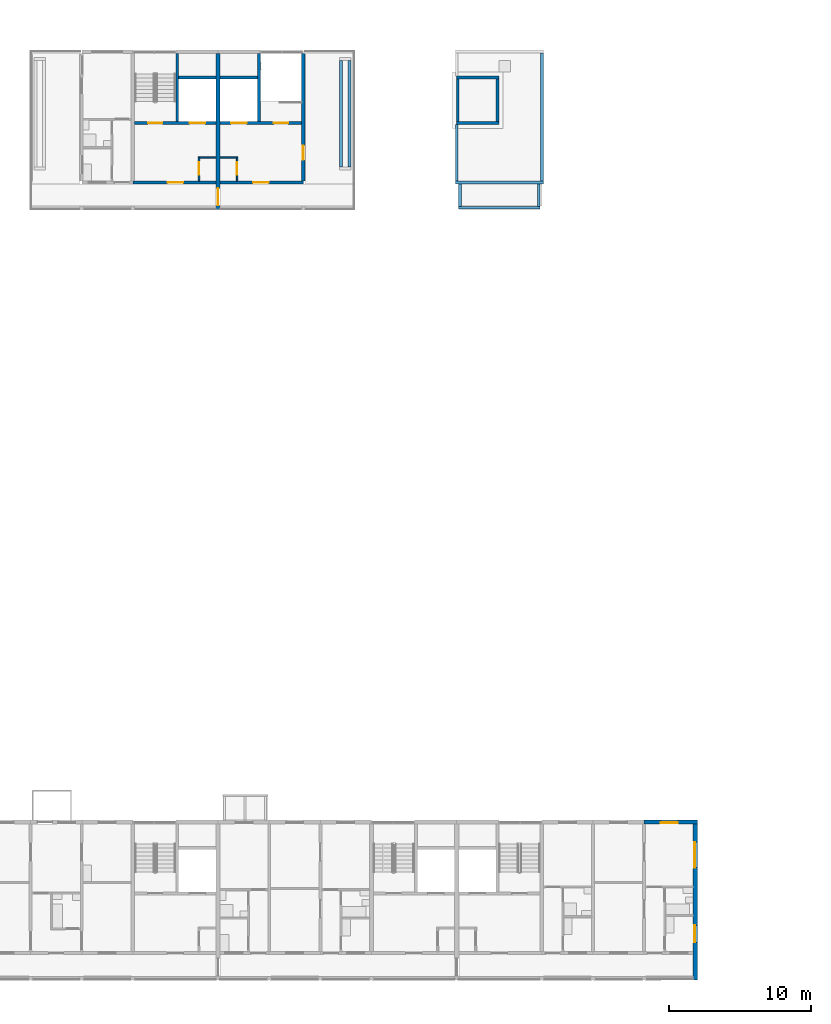
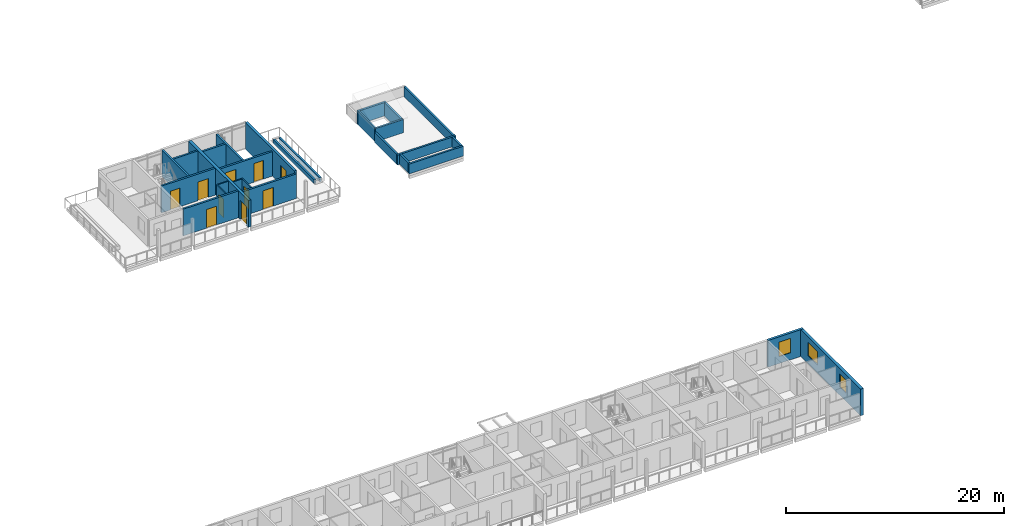
# One storey, part 45 of 87: 28 walls, 10 doors, 3 windows, 13 openings.
"""IFC4 building model written with IfcOpenShell, lengths in metres."""

from ifc_helpers import new_model, si_unit, direction, frame, frame_2d, origin, place, context, subcontext, project, spatial, rectangle, extrude, material, layer, layer_set, type_object, element, fill, save


model = new_model("IFC4")

# Units and contexts
model_context = context("Model", 3, precision=1e-05, world=origin(), true_north=direction((0.0, 1.0)))
body_context = subcontext(model_context, "Body", "Model", "MODEL_VIEW")
ifc_project = project(units=[si_unit("LENGTHUNIT", "METRE"), si_unit("AREAUNIT", "SQUARE_METRE"), si_unit("VOLUMEUNIT", "CUBIC_METRE"), si_unit("PLANEANGLEUNIT", "RADIAN"), si_unit("MASSUNIT", "GRAM", prefix="KILO")], contexts=[model_context])

# Site, building, storey
site_placement = place(None, origin())
site = spatial("IfcSite", under=ifc_project, at=site_placement, CompositionType="ELEMENT")
building_placement = place(site_placement, origin())
building = spatial("IfcBuilding", under=site, at=building_placement, Name="Ridgestep Commons", CompositionType="ELEMENT")
storey_placement = place(building_placement, frame((0.0, 0.0, 27.0)))
storey = spatial("IfcBuildingStorey", under=building, at=storey_placement, Name="L09", CompositionType="ELEMENT", Elevation=27.0)

# Wall, opening, door
ifc_material_1 = material(Name="Concrete C30/37", Category="concrete")
ifc_layer_1 = layer(ifc_material_1, 0.199951171875)
ifc_layer_set_1 = layer_set([ifc_layer_1], Name="Core south wall 200")
wall_type_1 = type_object("IfcWallType", Name="Core south wall 200", PredefinedType="SHEAR", material=ifc_layer_set_1)
wall_1_placement = place(storey_placement, frame((73.199951171875, 67.89990234375, 0.0), z_axis=(0.0, 0.0, 1.0), x_axis=(1.0, 0.0, 0.0)))
wall_1 = element("IfcWall", 1, at=wall_1_placement, inside=storey, type_object=wall_type_1, Name="Core south wall B4C L09", PredefinedType="SHEAR", context=body_context, shape_type="SweptSolid", body=[
    extrude(rectangle(XDim=5.85009765625, YDim=0.199951171875, at=frame_2d((2.925048828125, 0.0))), origin(), (0.0, 0.0, 1.0), 3.0),
])
opening_1_placement = place(wall_1_placement, frame((2.4375, 0.0, 0.0)))
opening_1 = element("IfcOpeningElement", 2, at=opening_1_placement, cuts=wall_1, Name="Opening B4C/09/1", PredefinedType="OPENING", context=body_context, shape_type="SweptSolid", body=[
    extrude(rectangle(XDim=1.10009765625, YDim=2.10009765625, at=frame_2d((0.550048828125, 1.050048828125))), frame((0.0, 0.10986328125, 0.0), z_axis=(0.0, -1.0, 0.0), x_axis=(1.0, 0.0, 0.0)), (0.0, 0.0, 1.0), 0.219970703125),
])
ifc_material_2 = material(Name="Steel fire door", Category="steel")
door_type_1 = type_object("IfcDoorType", Name="Lobby door 1100 x 2100 FD60", OperationType="NOTDEFINED", PredefinedType="DOOR", material=ifc_material_2)
door_1_placement = place(opening_1_placement, origin())
door_1 = element("IfcDoor", 3, at=door_1_placement, inside=storey, type_object=door_type_1, Name="Lobby door B4C/09/1", OperationType="SINGLE_SWING_LEFT", OverallHeight=2.10009765625, OverallWidth=1.10009765625, PredefinedType="DOOR", context=body_context, shape_type="SweptSolid", body=[
    extrude(rectangle(XDim=1.10009765625, YDim=2.10009765625, at=frame_2d((0.550048828125, 1.050048828125))), frame((0.0, 0.02490234375, 0.0), z_axis=(0.0, -1.0, 0.0), x_axis=(1.0, 0.0, 0.0)), (0.0, 0.0, 1.0), 0.050048828125),
])
fill(opening_1, door_1)

wall_2_placement = place(storey_placement, frame((79.35009765625, 67.89990234375, 0.0), z_axis=(0.0, 0.0, 1.0), x_axis=(1.0, 0.0, 0.0)))
wall_2 = element("IfcWall", 4, at=wall_2_placement, inside=storey, type_object=wall_type_1, Name="Core south wall B5C L09", PredefinedType="SHEAR", context=body_context, shape_type="SweptSolid", body=[
    extrude(rectangle(XDim=5.849853515625, YDim=0.199951171875, at=frame_2d((2.9248046875, 0.0))), origin(), (0.0, 0.0, 1.0), 2.75),
])
opening_2_placement = place(wall_2_placement, frame((2.3125, 0.0, 0.0)))
opening_2 = element("IfcOpeningElement", 5, at=opening_2_placement, cuts=wall_2, Name="Opening B5C/09/1", PredefinedType="OPENING", context=body_context, shape_type="SweptSolid", body=[
    extrude(rectangle(XDim=1.10009765625, YDim=2.10009765625, at=frame_2d((0.550048828125, 1.050048828125))), frame((0.0, 0.10986328125, 0.0), z_axis=(0.0, -1.0, 0.0), x_axis=(1.0, 0.0, 0.0)), (0.0, 0.0, 1.0), 0.219970703125),
])
door_2_placement = place(opening_2_placement, origin())
door_2 = element("IfcDoor", 6, at=door_2_placement, inside=storey, type_object=door_type_1, Name="Lobby door B5C/09/1", OperationType="SINGLE_SWING_LEFT", OverallHeight=2.10009765625, OverallWidth=1.10009765625, PredefinedType="DOOR", context=body_context, shape_type="SweptSolid", body=[
    extrude(rectangle(XDim=1.10009765625, YDim=2.10009765625, at=frame_2d((0.550048828125, 1.050048828125))), frame((0.0, 0.02490234375, 0.0), z_axis=(0.0, -1.0, 0.0), x_axis=(1.0, 0.0, 0.0)), (0.0, 0.0, 1.0), 0.050048828125),
])
fill(opening_2, door_2)

ifc_material_3 = material(Name="Concrete C30/37", Category="concrete")
ifc_layer_2 = layer(ifc_material_3, 0.1201171875)
ifc_layer_set_2 = layer_set([ifc_layer_2], Name="Core wall 120")
wall_type_2 = type_object("IfcWallType", Name="Core wall 120", PredefinedType="SHEAR", material=ifc_layer_set_2)
wall_3_placement = place(storey_placement, frame((77.860107421875, 68.0, 0.0), z_axis=(0.0, 0.0, 1.0), x_axis=(0.0, 1.0, 0.0)))
wall_3 = element("IfcWall", 7, at=wall_3_placement, inside=storey, type_object=wall_type_2, Name="Core riser w wall B4C L09", PredefinedType="SHEAR", context=body_context, shape_type="SweptSolid", body=[
    extrude(rectangle(XDim=1.719970703125, YDim=0.1201171875, at=frame_2d((0.85986328125, 0.0))), origin(), (0.0, 0.0, 1.0), 3.0),
])
opening_3_placement = place(wall_3_placement, frame((0.449951171875, 0.0, 0.0)))
opening_3 = element("IfcOpeningElement", 8, at=opening_3_placement, cuts=wall_3, Name="Opening B4C/09/4", PredefinedType="OPENING", context=body_context, shape_type="SweptSolid", body=[
    extrude(rectangle(XDim=0.89990234375, YDim=2.10009765625, at=frame_2d((0.449951171875, 1.050048828125))), frame((0.0, 0.070068359375, 0.0), z_axis=(0.0, -1.0, 0.0), x_axis=(1.0, 0.0, 0.0)), (0.0, 0.0, 1.0), 0.14013671875),
])
ifc_material_4 = material(Name="Steel fire door", Category="steel")
door_type_2 = type_object("IfcDoorType", Name="Riser door 900 x 2100 FD60", OperationType="NOTDEFINED", PredefinedType="DOOR", material=ifc_material_4)
door_3_placement = place(opening_3_placement, origin())
door_3 = element("IfcDoor", 9, at=door_3_placement, inside=storey, type_object=door_type_2, Name="Riser door B4C/09/4", OperationType="SINGLE_SWING_LEFT", OverallHeight=2.10009765625, OverallWidth=0.89990234375, PredefinedType="DOOR", context=body_context, shape_type="SweptSolid", body=[
    extrude(rectangle(XDim=0.89990234375, YDim=2.10009765625, at=frame_2d((0.449951171875, 1.050048828125))), frame((0.0, 0.02490234375, 0.0), z_axis=(0.0, -1.0, 0.0), x_axis=(1.0, 0.0, 0.0)), (0.0, 0.0, 1.0), 0.050048828125),
])
fill(opening_3, door_3)

# Wall
wall_4_placement = place(storey_placement, frame((77.919921875, 69.659912109375, 0.0), z_axis=(0.0, 0.0, 1.0), x_axis=(1.0, 0.0, 0.0)))
element("IfcWall", 10, at=wall_4_placement, inside=storey, type_object=wall_type_2, Name="Core riser n wall B4C L09", PredefinedType="SHEAR", context=body_context, shape_type="SweptSolid", body=[
    extrude(rectangle(XDim=1.130126953125, YDim=0.1201171875, at=frame_2d((0.56494140625, 0.0))), origin(), (0.0, 0.0, 1.0), 3.0),
])

# Wall, opening, door
wall_5_placement = place(storey_placement, frame((80.5400390625, 68.0, 0.0), z_axis=(0.0, 0.0, 1.0), x_axis=(0.0, 1.0, 0.0)))
wall_5 = element("IfcWall", 11, at=wall_5_placement, inside=storey, type_object=wall_type_2, Name="Core riser w wall B5C L09", PredefinedType="SHEAR", context=body_context, shape_type="SweptSolid", body=[
    extrude(rectangle(XDim=1.719970703125, YDim=0.1201171875, at=frame_2d((0.85986328125, 0.0))), origin(), (0.0, 0.0, 1.0), 2.75),
])
opening_4_placement = place(wall_5_placement, frame((0.449951171875, 0.0, 0.0)))
opening_4 = element("IfcOpeningElement", 12, at=opening_4_placement, cuts=wall_5, Name="Opening B5C/09/4", PredefinedType="OPENING", context=body_context, shape_type="SweptSolid", body=[
    extrude(rectangle(XDim=0.89990234375, YDim=2.10009765625, at=frame_2d((0.449951171875, 1.050048828125))), frame((0.0, 0.070068359375, 0.0), z_axis=(0.0, -1.0, 0.0), x_axis=(1.0, 0.0, 0.0)), (0.0, 0.0, 1.0), 0.14013671875),
])
door_4_placement = place(opening_4_placement, origin())
door_4 = element("IfcDoor", 13, at=door_4_placement, inside=storey, type_object=door_type_2, Name="Riser door B5C/09/4", OperationType="SINGLE_SWING_RIGHT", OverallHeight=2.10009765625, OverallWidth=0.89990234375, PredefinedType="DOOR", context=body_context, shape_type="SweptSolid", body=[
    extrude(rectangle(XDim=0.89990234375, YDim=2.10009765625, at=frame_2d((0.449951171875, 1.050048828125))), frame((0.0, 0.02490234375, 0.0), z_axis=(0.0, -1.0, 0.0), x_axis=(1.0, 0.0, 0.0)), (0.0, 0.0, 1.0), 0.050048828125),
])
fill(opening_4, door_4)

# Wall
wall_6_placement = place(storey_placement, frame((79.35009765625, 69.659912109375, 0.0), z_axis=(0.0, 0.0, 1.0), x_axis=(1.0, 0.0, 0.0)))
element("IfcWall", 14, at=wall_6_placement, inside=storey, type_object=wall_type_2, Name="Core riser n wall B5C L09", PredefinedType="SHEAR", context=body_context, shape_type="SweptSolid", body=[
    extrude(rectangle(XDim=1.1298828125, YDim=0.1201171875, at=frame_2d((0.56494140625, 0.0))), origin(), (0.0, 0.0, 1.0), 2.75),
])

# Wall, openings, doors
ifc_material_5 = material(Name="Concrete C30/37", Category="concrete")
ifc_layer_3 = layer(ifc_material_5, 0.199951171875)
ifc_layer_set_3 = layer_set([ifc_layer_3], Name="Core wall 200")
wall_type_3 = type_object("IfcWallType", Name="Core wall 200", PredefinedType="SHEAR", material=ifc_layer_set_3)
wall_7_placement = place(storey_placement, frame((73.324951171875, 72.10009765625, 0.0), z_axis=(0.0, 0.0, 1.0), x_axis=(1.0, 0.0, 0.0)))
wall_7 = element("IfcWall", 15, at=wall_7_placement, inside=storey, type_object=wall_type_3, Name="Core lobby wall B4C L09", PredefinedType="SHEAR", context=body_context, shape_type="SweptSolid", body=[
    extrude(rectangle(XDim=5.72509765625, YDim=0.199951171875, at=frame_2d((2.862548828125, 0.0))), origin(), (0.0, 0.0, 1.0), 3.0),
])
opening_5_placement = place(wall_7_placement, frame((0.949951171875, 0.0, 0.0)))
opening_5 = element("IfcOpeningElement", 16, at=opening_5_placement, cuts=wall_7, Name="Opening B4C/09/2", PredefinedType="OPENING", context=body_context, shape_type="SweptSolid", body=[
    extrude(rectangle(XDim=1.0, YDim=2.10009765625, at=frame_2d((0.5, 1.050048828125))), frame((0.0, 0.10986328125, 0.0), z_axis=(0.0, -1.0, 0.0), x_axis=(1.0, 0.0, 0.0)), (0.0, 0.0, 1.0), 0.219970703125),
])
opening_6_placement = place(wall_7_placement, frame((3.862548828125, 0.0, 0.0)))
opening_6 = element("IfcOpeningElement", 17, at=opening_6_placement, cuts=wall_7, Name="Opening B4C/09/3", PredefinedType="OPENING", context=body_context, shape_type="SweptSolid", body=[
    extrude(rectangle(XDim=1.10009765625, YDim=2.10009765625, at=frame_2d((0.550048828125, 1.050048828125))), frame((0.0, 0.10986328125, 0.0), z_axis=(0.0, -1.0, 0.0), x_axis=(1.0, 0.0, 0.0)), (0.0, 0.0, 1.0), 0.219970703125),
])
ifc_material_6 = material(Name="Stainless steel", Category="steel")
door_type_3 = type_object("IfcDoorType", Name="Lift landing door 1100 x 2100 FD60", OperationType="DOUBLE_DOOR_SLIDING", PredefinedType="DOOR", material=ifc_material_6)
door_5_placement = place(opening_6_placement, origin())
door_5 = element("IfcDoor", 18, at=door_5_placement, inside=storey, type_object=door_type_3, Name="Landing door LD B4C L09", OperationType="DOUBLE_DOOR_SLIDING", OverallHeight=2.10009765625, OverallWidth=1.10009765625, PredefinedType="DOOR", context=body_context, shape_type="SweptSolid", body=[
    extrude(rectangle(XDim=1.10009765625, YDim=2.10009765625, at=frame_2d((0.550048828125, 1.050048828125))), frame((0.0, 0.02490234375, 0.0), z_axis=(0.0, -1.0, 0.0), x_axis=(1.0, 0.0, 0.0)), (0.0, 0.0, 1.0), 0.050048828125),
])
fill(opening_6, door_5)
ifc_material_7 = material(Name="Steel fire door", Category="steel")
door_type_4 = type_object("IfcDoorType", Name="Stair door 1000 x 2100 FD60", OperationType="NOTDEFINED", PredefinedType="DOOR", material=ifc_material_7)
door_6_placement = place(opening_5_placement, origin())
door_6 = element("IfcDoor", 19, at=door_6_placement, inside=storey, type_object=door_type_4, Name="Stair door B4C/09/2", OperationType="SINGLE_SWING_RIGHT", OverallHeight=2.10009765625, OverallWidth=1.0, PredefinedType="DOOR", context=body_context, shape_type="SweptSolid", body=[
    extrude(rectangle(XDim=1.0, YDim=2.10009765625, at=frame_2d((0.5, 1.050048828125))), frame((0.0, 0.02490234375, 0.0), z_axis=(0.0, -1.0, 0.0), x_axis=(1.0, 0.0, 0.0)), (0.0, 0.0, 1.0), 0.050048828125),
])
fill(opening_5, door_6)

# Walls
wall_8_placement = place(storey_placement, frame((76.324951171875, 72.199951171875, 0.0), z_axis=(0.0, 0.0, 1.0), x_axis=(0.0, 1.0, 0.0)))
element("IfcWall", 20, at=wall_8_placement, inside=storey, type_object=wall_type_3, Name="Core stair wall B4C L09", PredefinedType="SHEAR", context=body_context, shape_type="SweptSolid", body=[
    extrude(rectangle(XDim=4.800048828125, YDim=0.199951171875, at=frame_2d((2.39990234375, 0.0))), origin(), (0.0, 0.0, 1.0), 3.0),
])
wall_9_placement = place(storey_placement, frame((76.425048828125, 75.300048828125, 0.0), z_axis=(0.0, 0.0, 1.0), x_axis=(1.0, 0.0, 0.0)))
element("IfcWall", 21, at=wall_9_placement, inside=storey, type_object=wall_type_3, Name="Core duct wall B4C L09", PredefinedType="SHEAR", context=body_context, shape_type="SweptSolid", body=[
    extrude(rectangle(XDim=2.625, YDim=0.199951171875, at=frame_2d((1.3125, 0.0))), origin(), (0.0, 0.0, 1.0), 3.0),
])

# Wall, openings, doors
wall_10_placement = place(storey_placement, frame((79.35009765625, 72.10009765625, 0.0), z_axis=(0.0, 0.0, 1.0), x_axis=(1.0, 0.0, 0.0)))
wall_10 = element("IfcWall", 22, at=wall_10_placement, inside=storey, type_object=wall_type_3, Name="Core lobby wall B5C L09", PredefinedType="SHEAR", context=body_context, shape_type="SweptSolid", body=[
    extrude(rectangle(XDim=5.724853515625, YDim=0.199951171875, at=frame_2d((2.8623046875, 0.0))), origin(), (0.0, 0.0, 1.0), 2.75),
])
opening_7_placement = place(wall_10_placement, frame((3.77490234375, 0.0, 0.0)))
opening_7 = element("IfcOpeningElement", 23, at=opening_7_placement, cuts=wall_10, Name="Opening B5C/09/2", PredefinedType="OPENING", context=body_context, shape_type="SweptSolid", body=[
    extrude(rectangle(XDim=1.0, YDim=2.10009765625, at=frame_2d((0.5, 1.050048828125))), frame((0.0, 0.10986328125, 0.0), z_axis=(0.0, -1.0, 0.0), x_axis=(1.0, 0.0, 0.0)), (0.0, 0.0, 1.0), 0.219970703125),
])
opening_8_placement = place(wall_10_placement, frame((0.762451171875, 0.0, 0.0)))
opening_8 = element("IfcOpeningElement", 24, at=opening_8_placement, cuts=wall_10, Name="Opening B5C/09/3", PredefinedType="OPENING", context=body_context, shape_type="SweptSolid", body=[
    extrude(rectangle(XDim=1.10009765625, YDim=2.10009765625, at=frame_2d((0.550048828125, 1.050048828125))), frame((0.0, 0.10986328125, 0.0), z_axis=(0.0, -1.0, 0.0), x_axis=(1.0, 0.0, 0.0)), (0.0, 0.0, 1.0), 0.219970703125),
])
door_7_placement = place(opening_8_placement, origin())
door_7 = element("IfcDoor", 25, at=door_7_placement, inside=storey, type_object=door_type_3, Name="Landing door LD B5C L09", OperationType="DOUBLE_DOOR_SLIDING", OverallHeight=2.10009765625, OverallWidth=1.10009765625, PredefinedType="DOOR", context=body_context, shape_type="SweptSolid", body=[
    extrude(rectangle(XDim=1.10009765625, YDim=2.10009765625, at=frame_2d((0.550048828125, 1.050048828125))), frame((0.0, 0.02490234375, 0.0), z_axis=(0.0, -1.0, 0.0), x_axis=(1.0, 0.0, 0.0)), (0.0, 0.0, 1.0), 0.050048828125),
])
fill(opening_8, door_7)
door_8_placement = place(opening_7_placement, origin())
door_8 = element("IfcDoor", 26, at=door_8_placement, inside=storey, type_object=door_type_4, Name="Stair door B5C/09/2", OperationType="SINGLE_SWING_RIGHT", OverallHeight=2.10009765625, OverallWidth=1.0, PredefinedType="DOOR", context=body_context, shape_type="SweptSolid", body=[
    extrude(rectangle(XDim=1.0, YDim=2.10009765625, at=frame_2d((0.5, 1.050048828125))), frame((0.0, 0.02490234375, 0.0), z_axis=(0.0, -1.0, 0.0), x_axis=(1.0, 0.0, 0.0)), (0.0, 0.0, 1.0), 0.050048828125),
])
fill(opening_7, door_8)

# Walls
wall_11_placement = place(storey_placement, frame((82.074951171875, 72.199951171875, 0.0), z_axis=(0.0, 0.0, 1.0), x_axis=(0.0, 1.0, 0.0)))
element("IfcWall", 27, at=wall_11_placement, inside=storey, type_object=wall_type_3, Name="Core stair wall B5C L09", PredefinedType="SHEAR", context=body_context, shape_type="SweptSolid", body=[
    extrude(rectangle(XDim=4.800048828125, YDim=0.199951171875, at=frame_2d((2.39990234375, 0.0))), origin(), (0.0, 0.0, 1.0), 2.75),
])
wall_12_placement = place(storey_placement, frame((79.35009765625, 75.300048828125, 0.0), z_axis=(0.0, 0.0, 1.0), x_axis=(1.0, 0.0, 0.0)))
element("IfcWall", 28, at=wall_12_placement, inside=storey, type_object=wall_type_3, Name="Core duct wall B5C L09", PredefinedType="SHEAR", context=body_context, shape_type="SweptSolid", body=[
    extrude(rectangle(XDim=2.625, YDim=0.199951171875, at=frame_2d((1.3125, 0.0))), origin(), (0.0, 0.0, 1.0), 2.75),
])

# Wall, opening, door
ifc_material_8 = material(Name="Precast concrete C40/50", Category="concrete")
ifc_layer_4 = layer(ifc_material_8, 0.300048828125)
ifc_layer_set_4 = layer_set([ifc_layer_4], Name="Division wall 300")
wall_type_4 = type_object("IfcWallType", Name="Division wall 300", PredefinedType="SHEAR", material=ifc_layer_set_4)
wall_13_placement = place(storey_placement, frame((79.199951171875, 66.0, 0.0), z_axis=(0.0, 0.0, 1.0), x_axis=(0.0, 1.0, 0.0)))
wall_13 = element("IfcWall", 29, at=wall_13_placement, inside=storey, type_object=wall_type_4, Name="Cross wall B-09-0792", PredefinedType="SHEAR", context=body_context, shape_type="SweptSolid", body=[
    extrude(rectangle(XDim=11.0, YDim=0.300048828125, at=frame_2d((5.5, 0.0))), origin(), (0.0, 0.0, 1.0), 3.0),
])
opening_9_placement = place(wall_13_placement, frame((0.300048828125, 0.0, 0.0)))
opening_9 = element("IfcOpeningElement", 30, at=opening_9_placement, cuts=wall_13, Name="Opening B/09/G0792", PredefinedType="OPENING", context=body_context, shape_type="SweptSolid", body=[
    extrude(rectangle(XDim=1.199951171875, YDim=2.10009765625, at=frame_2d((0.60009765625, 1.050048828125))), frame((0.0, 0.159912109375, 0.0), z_axis=(0.0, -1.0, 0.0), x_axis=(1.0, 0.0, 0.0)), (0.0, 0.0, 1.0), 0.320068359375),
])
ifc_material_9 = material(Name="Steel fire door", Category="steel")
door_type_5 = type_object("IfcDoorType", Name="Division fire door 1200 x 2100 EI 240", OperationType="DOUBLE_DOOR_SINGLE_SWING", PredefinedType="DOOR", material=ifc_material_9)
door_9_placement = place(opening_9_placement, origin())
door_9 = element("IfcDoor", 31, at=door_9_placement, inside=storey, type_object=door_type_5, Name="Division fire door B/09/G0792", OperationType="DOUBLE_DOOR_SINGLE_SWING", OverallHeight=2.10009765625, OverallWidth=1.199951171875, PredefinedType="DOOR", context=body_context, shape_type="SweptSolid", body=[
    extrude(rectangle(XDim=1.199951171875, YDim=2.10009765625, at=frame_2d((0.60009765625, 1.050048828125))), frame((0.0, 0.02490234375, 0.0), z_axis=(0.0, -1.0, 0.0), x_axis=(1.0, 0.0, 0.0)), (0.0, 0.0, 1.0), 0.050048828125),
])
fill(opening_9, door_9)

ifc_material_10 = material(Name="Concrete C30/37", Category="concrete")
ifc_layer_5 = layer(ifc_material_10, 0.25)
ifc_layer_set_5 = layer_set([ifc_layer_5], Name="Exposed core cross wall 250")
wall_type_5 = type_object("IfcWallType", Name="Exposed core cross wall 250", PredefinedType="SHEAR", material=ifc_layer_set_5)
wall_14_placement = place(storey_placement, frame((85.199951171875, 68.0, 0.0), z_axis=(0.0, 0.0, 1.0), x_axis=(0.0, 1.0, 0.0)))
wall_14 = element("IfcWall", 32, at=wall_14_placement, inside=storey, type_object=wall_type_5, Name="Cross wall B-09-0852", PredefinedType="SHEAR", context=body_context, shape_type="SweptSolid", body=[
    extrude(rectangle(XDim=9.0, YDim=0.25, at=frame_2d((4.5, 0.0))), origin(), (0.0, 0.0, 1.0), 3.0),
])
opening_10_placement = place(wall_14_placement, frame((1.5, 0.0, 0.0)))
opening_10 = element("IfcOpeningElement", 33, at=opening_10_placement, cuts=wall_14, Name="Opening B5C/09/T", PredefinedType="OPENING", context=body_context, shape_type="SweptSolid", body=[
    extrude(rectangle(XDim=1.0, YDim=2.10009765625, at=frame_2d((0.5, 1.050048828125))), frame((0.0, 0.135009765625, 0.0), z_axis=(0.0, -1.0, 0.0), x_axis=(1.0, 0.0, 0.0)), (0.0, 0.0, 1.0), 0.27001953125),
])
ifc_material_11 = material(Name="Aluminium and glass", Category="aluminium")
door_type_6 = type_object("IfcDoorType", Name="Terrace door 1000 x 2100 FD60", OperationType="NOTDEFINED", PredefinedType="DOOR", material=ifc_material_11)
door_10_placement = place(opening_10_placement, origin())
door_10 = element("IfcDoor", 34, at=door_10_placement, inside=storey, type_object=door_type_6, Name="Terrace door B5C/09/T", OperationType="SINGLE_SWING_RIGHT", OverallHeight=2.10009765625, OverallWidth=1.0, PredefinedType="DOOR", context=body_context, shape_type="SweptSolid", body=[
    extrude(rectangle(XDim=1.0, YDim=2.10009765625, at=frame_2d((0.5, 1.050048828125))), frame((0.0, 0.02490234375, 0.0), z_axis=(0.0, -1.0, 0.0), x_axis=(1.0, 0.0, 0.0)), (0.0, 0.0, 1.0), 0.050048828125),
])
fill(opening_10, door_10)

# Wall, openings, windows
ifc_material_12 = material(Name="Precast concrete C40/50", Category="concrete")
ifc_layer_6 = layer(ifc_material_12, 0.300048828125)
ifc_layer_set_6 = layer_set([ifc_layer_6], Name="Exposed division wall 300")
wall_type_6 = type_object("IfcWallType", Name="Exposed division wall 300", PredefinedType="SHEAR", material=ifc_layer_set_6)
wall_15_placement = place(storey_placement, frame((112.800048828125, 11.75, 0.0), z_axis=(0.0, 0.0, 1.0), x_axis=(0.0, 1.0, 0.0)))
wall_15 = element("IfcWall", 35, at=wall_15_placement, inside=storey, type_object=wall_type_6, Name="Cross wall A-09-1128", PredefinedType="SHEAR", context=body_context, shape_type="SweptSolid", body=[
    extrude(rectangle(XDim=11.0, YDim=0.300048828125, at=frame_2d((5.5, 0.0))), origin(), (0.0, 0.0, 1.0), 3.0),
])
opening_11_placement = place(wall_15_placement, frame((2.64990234375, 0.0, 0.89990234375)))
opening_11 = element("IfcOpeningElement", 36, at=opening_11_placement, cuts=wall_15, Name="Opening W10", PredefinedType="OPENING", context=body_context, shape_type="SweptSolid", body=[
    extrude(rectangle(XDim=1.199951171875, YDim=1.5, at=frame_2d((0.60009765625, 0.75))), frame((0.0, 0.159912109375, 0.0), z_axis=(0.0, -1.0, 0.0), x_axis=(1.0, 0.0, 0.0)), (0.0, 0.0, 1.0), 0.320068359375),
])
opening_12_placement = place(wall_15_placement, frame((7.905029296875, 0.0, 0.89990234375)))
opening_12 = element("IfcOpeningElement", 37, at=opening_12_placement, cuts=wall_15, Name="Opening W20", PredefinedType="OPENING", context=body_context, shape_type="SweptSolid", body=[
    extrude(rectangle(XDim=1.800048828125, YDim=1.5, at=frame_2d((0.89990234375, 0.75))), frame((0.0, 0.159912109375, 0.0), z_axis=(0.0, -1.0, 0.0), x_axis=(1.0, 0.0, 0.0)), (0.0, 0.0, 1.0), 0.320068359375),
])
ifc_material_13 = material(Name="Aluminium 6063-T6 and glass", Category="aluminium")
window_type_1 = type_object("IfcWindowType", Name="Flat window 1200 x 1500", PartitioningType="SINGLE_PANEL", PredefinedType="WINDOW", material=ifc_material_13)
window_1_placement = place(opening_11_placement, origin())
window_1 = element("IfcWindow", 38, at=window_1_placement, inside=storey, type_object=window_type_1, Name="Window A6-09a 5", OverallHeight=1.5, OverallWidth=1.199951171875, PartitioningType="SINGLE_PANEL", PredefinedType="WINDOW", context=body_context, shape_type="SweptSolid", body=[
    extrude(rectangle(XDim=1.199951171875, YDim=1.5, at=frame_2d((0.60009765625, 0.75))), frame((0.0, 0.06005859375, 0.0), z_axis=(0.0, -1.0, 0.0), x_axis=(1.0, 0.0, 0.0)), (0.0, 0.0, 1.0), 0.06005859375),
])
fill(opening_11, window_1)
ifc_material_14 = material(Name="Aluminium 6063-T6 and glass", Category="aluminium")
window_type_2 = type_object("IfcWindowType", Name="Flat window 1800 x 1500", PartitioningType="DOUBLE_PANEL_VERTICAL", PredefinedType="WINDOW", material=ifc_material_14)
window_2_placement = place(opening_12_placement, origin())
window_2 = element("IfcWindow", 39, at=window_2_placement, inside=storey, type_object=window_type_2, Name="Window A6-09a 6", OverallHeight=1.5, OverallWidth=1.800048828125, PartitioningType="SINGLE_PANEL", PredefinedType="WINDOW", context=body_context, shape_type="SweptSolid", body=[
    extrude(rectangle(XDim=1.800048828125, YDim=1.5, at=frame_2d((0.89990234375, 0.75))), frame((0.0, 0.06005859375, 0.0), z_axis=(0.0, -1.0, 0.0), x_axis=(1.0, 0.0, 0.0)), (0.0, 0.0, 1.0), 0.06005859375),
])
fill(opening_12, window_2)

# Walls
ifc_material_15 = material(Name="Concrete C30/37", Category="concrete")
ifc_layer_7 = layer(ifc_material_15, 0.14990234375)
ifc_layer_set_7 = layer_set([ifc_layer_7], Name="Lift overrun wall 150")
wall_type_7 = type_object("IfcWallType", Name="Lift overrun wall 150", PredefinedType="SHEAR", material=ifc_layer_set_7)
wall_16_placement = place(storey_placement, frame((96.074951171875, 72.199951171875, 0.0), z_axis=(0.0, 0.0, 1.0), x_axis=(0.0, 1.0, 0.0)))
element("IfcWall", 40, at=wall_16_placement, inside=storey, type_object=wall_type_7, Name="Lift overrun wall B6C", PredefinedType="SHEAR", context=body_context, shape_type="SweptSolid", body=[
    extrude(rectangle(XDim=3.0, YDim=0.14990234375, at=frame_2d((1.5, 0.0))), origin(), (0.0, 0.0, 1.0), 1.5),
])
ifc_material_16 = material(Name="Concrete C30/37", Category="concrete")
ifc_layer_8 = layer(ifc_material_16, 0.199951171875)
ifc_layer_set_8 = layer_set([ifc_layer_8], Name="Lift overrun wall 200")
wall_type_8 = type_object("IfcWallType", Name="Lift overrun wall 200", PredefinedType="SHEAR", material=ifc_layer_set_8)
for number, where, z_axis, x_axis, name in (
    (41, (96.0, 72.10009765625, 0.0), (0.0, 0.0, 1.0), (1.0, 0.0, 0.0), "Lift overrun wall B6C"),
    (42, (96.0, 75.300048828125, 0.0), (0.0, 0.0, 1.0), (1.0, 0.0, 0.0), "Lift overrun wall B6C"),
):
    element("IfcWall", number, at=place(storey_placement, frame(where, z_axis=z_axis, x_axis=x_axis)), inside=storey, type_object=wall_type_8, Name=name, PredefinedType="SHEAR", context=body_context, shape_type="SweptSolid", body=[
        extrude(rectangle(XDim=2.97509765625, YDim=0.199951171875, at=frame_2d((1.487548828125, 0.0))), origin(), (0.0, 0.0, 1.0), 1.5),
    ])
wall_17_placement = place(storey_placement, frame((98.875, 72.199951171875, 0.0), z_axis=(0.0, 0.0, 1.0), x_axis=(0.0, 1.0, 0.0)))
element("IfcWall", 43, at=wall_17_placement, inside=storey, type_object=wall_type_8, Name="Lift overrun wall B6C", PredefinedType="SHEAR", context=body_context, shape_type="SweptSolid", body=[
    extrude(rectangle(XDim=3.0, YDim=0.199951171875, at=frame_2d((1.5, 0.0))), origin(), (0.0, 0.0, 1.0), 1.5),
])

# Wall, opening, window
ifc_material_17 = material(Name="Precast concrete C40/50", Category="concrete")
ifc_layer_9 = layer(ifc_material_17, 0.25)
ifc_layer_set_9 = layer_set([ifc_layer_9], Name="North facade panel 250")
wall_type_9 = type_object("IfcWallType", Name="North facade panel 250", PredefinedType="SOLIDWALL", material=ifc_layer_set_9)
wall_18_placement = place(storey_placement, frame((109.199951171875, 22.875, 0.0), z_axis=(0.0, 0.0, 1.0), x_axis=(1.0, 0.0, 0.0)))
wall_18 = element("IfcWall", 44, at=wall_18_placement, inside=storey, type_object=wall_type_9, Name="North panel A6T1 L09", PredefinedType="SOLIDWALL", context=body_context, shape_type="SweptSolid", body=[
    extrude(rectangle(XDim=3.75, YDim=0.25, at=frame_2d((1.875, 0.0))), origin(), (0.0, 0.0, 1.0), 3.0),
])
opening_13_placement = place(wall_18_placement, frame((1.175048828125, 0.0, 0.800048828125)))
opening_13 = element("IfcOpeningElement", 45, at=opening_13_placement, cuts=wall_18, Name="Opening W11", PredefinedType="OPENING", context=body_context, shape_type="SweptSolid", body=[
    extrude(rectangle(XDim=1.199951171875, YDim=1.60009765625, at=frame_2d((0.60009765625, 0.800048828125))), frame((0.0, 0.135009765625, 0.0), z_axis=(0.0, -1.0, 0.0), x_axis=(1.0, 0.0, 0.0)), (0.0, 0.0, 1.0), 0.27001953125),
])
ifc_material_18 = material(Name="Aluminium 6063-T6 and glass", Category="aluminium")
window_type_3 = type_object("IfcWindowType", Name="Flat window 1200 x 1600", PartitioningType="SINGLE_PANEL", PredefinedType="WINDOW", material=ifc_material_18)
window_3_placement = place(opening_13_placement, origin())
window_3 = element("IfcWindow", 46, at=window_3_placement, inside=storey, type_object=window_type_3, Name="Window A6-09a 4", OverallHeight=1.60009765625, OverallWidth=1.199951171875, PartitioningType="SINGLE_PANEL", PredefinedType="WINDOW", context=body_context, shape_type="SweptSolid", body=[
    extrude(rectangle(XDim=1.199951171875, YDim=1.60009765625, at=frame_2d((0.60009765625, 0.800048828125))), frame((0.0, -0.02490234375, 0.0), z_axis=(0.0, -1.0, 0.0), x_axis=(1.0, 0.0, 0.0)), (0.0, 0.0, 1.0), 0.06005859375),
])
fill(opening_13, window_3)

# Walls
ifc_material_19 = material(Name="Precast concrete C40/50", Category="concrete")
ifc_layer_10 = layer(ifc_material_19, 0.199951171875)
ifc_layer_set_10 = layer_set([ifc_layer_10], Name="Parapet wall 200")
wall_type_10 = type_object("IfcWallType", Name="Parapet wall 200", PredefinedType="PARAPET", material=ifc_layer_set_10)
wall_19_placement = place(storey_placement, frame((95.89990234375, 67.89990234375, 0.0), z_axis=(0.0, 0.0, 1.0), x_axis=(1.0, 0.0, 0.0)))
element("IfcWall", 47, at=wall_19_placement, inside=storey, type_object=wall_type_10, Name="Parapet B6C south", PredefinedType="PARAPET", context=body_context, shape_type="SweptSolid", body=[
    extrude(rectangle(XDim=6.2001953125, YDim=0.199951171875, at=frame_2d((3.10009765625, 0.0))), origin(), (0.0, 0.0, 1.0), 1.10009765625),
])
wall_20_placement = place(storey_placement, frame((96.0, 68.0, 0.0), z_axis=(0.0, 0.0, 1.0), x_axis=(0.0, 1.0, 0.0)))
element("IfcWall", 48, at=wall_20_placement, inside=storey, type_object=wall_type_10, Name="Parapet B6C west", PredefinedType="PARAPET", context=body_context, shape_type="SweptSolid", body=[
    extrude(rectangle(XDim=4.0, YDim=0.199951171875, at=frame_2d((2.0, 0.0))), origin(), (0.0, 0.0, 1.0), 1.10009765625),
])
wall_21_placement = place(storey_placement, frame((102.0, 68.0, 0.0), z_axis=(0.0, 0.0, 1.0), x_axis=(0.0, 1.0, 0.0)))
element("IfcWall", 49, at=wall_21_placement, inside=storey, type_object=wall_type_10, Name="Parapet B6C east", PredefinedType="PARAPET", context=body_context, shape_type="SweptSolid", body=[
    extrude(rectangle(XDim=9.02490234375, YDim=0.199951171875, at=frame_2d((4.512451171875, 0.0))), origin(), (0.0, 0.0, 1.0), 1.10009765625),
])
wall_22_placement = place(storey_placement, frame((96.125, 66.125, 0.0), z_axis=(0.0, 0.0, 1.0), x_axis=(1.0, 0.0, 0.0)))
element("IfcWall", 50, at=wall_22_placement, inside=storey, type_object=wall_type_10, Name="Parapet B6C gallery south", PredefinedType="PARAPET", context=body_context, shape_type="SweptSolid", body=[
    extrude(rectangle(XDim=5.75, YDim=0.199951171875, at=frame_2d((2.875, 0.0))), origin(), (0.0, 0.0, 1.0), 1.10009765625),
])
for number, where, z_axis, x_axis, name in (
    (51, (96.22509765625, 66.22509765625, 0.0), (0.0, 0.0, 1.0), (0.0, 1.0, 0.0), "Parapet B6C gallery west"),
    (52, (101.77490234375, 66.22509765625, 0.0), (0.0, 0.0, 1.0), (0.0, 1.0, 0.0), "Parapet B6C gallery east"),
):
    element("IfcWall", number, at=place(storey_placement, frame(where, z_axis=z_axis, x_axis=x_axis)), inside=storey, type_object=wall_type_10, Name=name, PredefinedType="PARAPET", context=body_context, shape_type="SweptSolid", body=[
        extrude(rectangle(XDim=1.574951171875, YDim=0.199951171875, at=frame_2d((0.78759765625, 0.0))), origin(), (0.0, 0.0, 1.0), 1.10009765625),
    ])
ifc_material_20 = material(Name="Facing brick", Category="masonry")
ifc_layer_11 = layer(ifc_material_20, 0.199951171875)
ifc_layer_set_11 = layer_set([ifc_layer_11], Name="Planter wall 200")
wall_type_11 = type_object("IfcWallType", Name="Planter wall 200", PredefinedType="SOLIDWALL", material=ifc_layer_set_11)
for number, where, z_axis, x_axis, name in (
    (53, (87.85009765625, 69.0, 0.010009765625), (0.0, 0.0, 1.0), (0.0, 1.0, 0.0), "Planter wall B5R3W"),
    (54, (88.449951171875, 69.0, 0.010009765625), (0.0, 0.0, 1.0), (0.0, 1.0, 0.0), "Planter wall B5R3E"),
):
    element("IfcWall", number, at=place(storey_placement, frame(where, z_axis=z_axis, x_axis=x_axis)), inside=storey, type_object=wall_type_11, Name=name, PredefinedType="SOLIDWALL", context=body_context, shape_type="SweptSolid", body=[
        extrude(rectangle(XDim=7.5, YDim=0.199951171875, at=frame_2d((3.75, 0.0))), origin(), (0.0, 0.0, 1.0), 0.449951171875),
    ])

save(model, "model.ifc")
